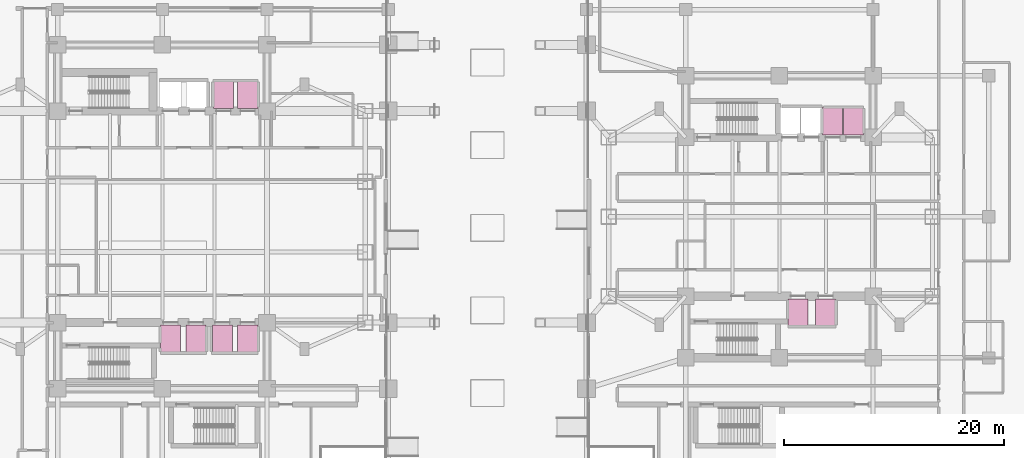
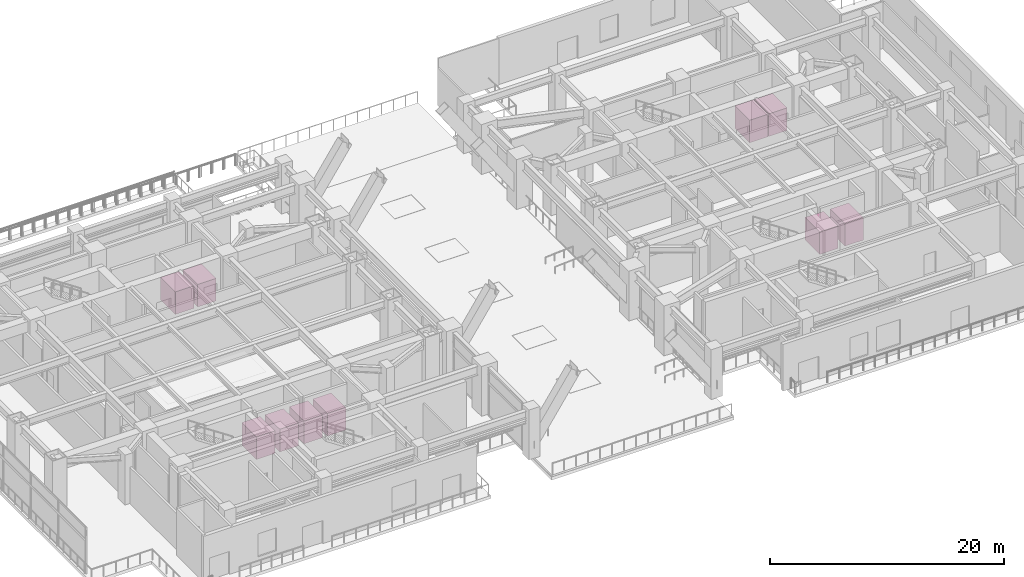
# One storey, part 27 of 27: 10 transport elements.
"""IFC4 building model written with IfcOpenShell, lengths in metres."""

from ifc_helpers import new_model, si_unit, direction, frame, origin, origin_2d, place, context, subcontext, project, spatial, rectangle, extrude, material, type_object, element, save


model = new_model("IFC4")

# Units and contexts
model_context = context("Model", 3, precision=1e-05, world=origin(), true_north=direction((0.0, 1.0)))
body_context = subcontext(model_context, "Body", "Model", "MODEL_VIEW")
ifc_project = project(units=[si_unit("LENGTHUNIT", "METRE"), si_unit("AREAUNIT", "SQUARE_METRE"), si_unit("VOLUMEUNIT", "CUBIC_METRE"), si_unit("PLANEANGLEUNIT", "RADIAN"), si_unit("MASSUNIT", "GRAM", prefix="KILO")], contexts=[model_context])

# Site, building, storey
site_placement = place(None, origin())
site = spatial("IfcSite", under=ifc_project, at=site_placement, CompositionType="ELEMENT")
building_placement = place(site_placement, origin())
building = spatial("IfcBuilding", under=site, at=building_placement, Name="Mirazonda Arch Towers", CompositionType="ELEMENT")
storey_placement = place(building_placement, origin())
storey = spatial("IfcBuildingStorey", under=building, at=storey_placement, Name="L00", CompositionType="ELEMENT", Elevation=0.0)

# Transport elements
ifc_material = material(Name="Architectural Brushed Steel S355", Category="steel")
transport_element_type_1 = type_object("IfcTransportElementType", Name="LIFT-PL-T1H1", PredefinedType="ELEVATOR", material=ifc_material)
transport_element_1_placement = place(storey_placement, frame((25.949951171875, 16.89990234375, 0.0), z_axis=(0.0, 0.0, 1.0), x_axis=(1.0, 0.0, 0.0)))
element("IfcTransportElement", 1, at=transport_element_1_placement, inside=storey, type_object=transport_element_type_1, Name="Passenger Lift PL-T1H1 Car", PredefinedType="ELEVATOR", context=body_context, shape_type="SweptSolid", body=[
    extrude(rectangle(XDim=1.820068359375, YDim=2.52001953125, at=origin_2d()), origin(), (0.0, 0.0, 1.0), 2.35009765625),
])
transport_element_type_2 = type_object("IfcTransportElementType", Name="LIFT-PL-T1H2", PredefinedType="ELEVATOR", material=ifc_material)
transport_element_2_placement = place(storey_placement, frame((28.25, 16.89990234375, 0.0), z_axis=(0.0, 0.0, 1.0), x_axis=(1.0, 0.0, 0.0)))
element("IfcTransportElement", 2, at=transport_element_2_placement, inside=storey, type_object=transport_element_type_2, Name="Passenger Lift PL-T1H2 Car", PredefinedType="ELEVATOR", context=body_context, shape_type="SweptSolid", body=[
    extrude(rectangle(XDim=1.820068359375, YDim=2.52001953125, at=origin_2d()), origin(), (0.0, 0.0, 1.0), 2.35009765625),
])
transport_element_type_3 = type_object("IfcTransportElementType", Name="LIFT-PL-T1L1", PredefinedType="ELEVATOR", material=ifc_material)
transport_element_3_placement = place(storey_placement, frame((26.050048828125, 39.10009765625, 0.0), z_axis=(0.0, 0.0, 1.0), x_axis=(1.0, 0.0, 0.0)))
element("IfcTransportElement", 3, at=transport_element_3_placement, inside=storey, type_object=transport_element_type_3, Name="Passenger Lift PL-T1L1 Car", PredefinedType="ELEVATOR", context=body_context, shape_type="SweptSolid", body=[
    extrude(rectangle(XDim=1.820068359375, YDim=2.52001953125, at=origin_2d()), origin(), (0.0, 0.0, 1.0), 2.35009765625),
])
transport_element_type_4 = type_object("IfcTransportElementType", Name="LIFT-PL-T1L2", PredefinedType="ELEVATOR", material=ifc_material)
transport_element_4_placement = place(storey_placement, frame((28.25, 39.10009765625, 0.0), z_axis=(0.0, 0.0, 1.0), x_axis=(1.0, 0.0, 0.0)))
element("IfcTransportElement", 4, at=transport_element_4_placement, inside=storey, type_object=transport_element_type_4, Name="Passenger Lift PL-T1L2 Car", PredefinedType="ELEVATOR", context=body_context, shape_type="SweptSolid", body=[
    extrude(rectangle(XDim=1.820068359375, YDim=2.52001953125, at=origin_2d()), origin(), (0.0, 0.0, 1.0), 2.35009765625),
])
transport_element_type_5 = type_object("IfcTransportElementType", Name="LIFT-PL-T1M1", PredefinedType="ELEVATOR", material=ifc_material)
transport_element_5_placement = place(storey_placement, frame((21.25, 16.89990234375, 0.0), z_axis=(0.0, 0.0, 1.0), x_axis=(1.0, 0.0, 0.0)))
element("IfcTransportElement", 5, at=transport_element_5_placement, inside=storey, type_object=transport_element_type_5, Name="Passenger Lift PL-T1M1 Car", PredefinedType="ELEVATOR", context=body_context, shape_type="SweptSolid", body=[
    extrude(rectangle(XDim=1.820068359375, YDim=2.52001953125, at=origin_2d()), origin(), (0.0, 0.0, 1.0), 2.35009765625),
])
transport_element_type_6 = type_object("IfcTransportElementType", Name="LIFT-PL-T1M2", PredefinedType="ELEVATOR", material=ifc_material)
transport_element_6_placement = place(storey_placement, frame((23.550048828125, 16.89990234375, 0.0), z_axis=(0.0, 0.0, 1.0), x_axis=(1.0, 0.0, 0.0)))
element("IfcTransportElement", 6, at=transport_element_6_placement, inside=storey, type_object=transport_element_type_6, Name="Passenger Lift PL-T1M2 Car", PredefinedType="ELEVATOR", context=body_context, shape_type="SweptSolid", body=[
    extrude(rectangle(XDim=1.820068359375, YDim=2.52001953125, at=origin_2d()), origin(), (0.0, 0.0, 1.0), 2.35009765625),
])
transport_element_type_7 = type_object("IfcTransportElementType", Name="LIFT-PL-T2H1", PredefinedType="ELEVATOR", material=ifc_material)
transport_element_7_placement = place(storey_placement, frame((78.199951171875, 19.300048828125, 0.0), z_axis=(0.0, 0.0, 1.0), x_axis=(1.0, 0.0, 0.0)))
element("IfcTransportElement", 7, at=transport_element_7_placement, inside=storey, type_object=transport_element_type_7, Name="Passenger Lift PL-T2H1 Car", PredefinedType="ELEVATOR", context=body_context, shape_type="SweptSolid", body=[
    extrude(rectangle(XDim=1.820068359375, YDim=2.52001953125, at=origin_2d()), origin(), (0.0, 0.0, 1.0), 2.35009765625),
])
transport_element_type_8 = type_object("IfcTransportElementType", Name="LIFT-PL-T2H2", PredefinedType="ELEVATOR", material=ifc_material)
transport_element_8_placement = place(storey_placement, frame((80.699951171875, 19.300048828125, 0.0), z_axis=(0.0, 0.0, 1.0), x_axis=(1.0, 0.0, 0.0)))
element("IfcTransportElement", 8, at=transport_element_8_placement, inside=storey, type_object=transport_element_type_8, Name="Passenger Lift PL-T2H2 Car", PredefinedType="ELEVATOR", context=body_context, shape_type="SweptSolid", body=[
    extrude(rectangle(XDim=1.820068359375, YDim=2.52001953125, at=origin_2d()), origin(), (0.0, 0.0, 1.0), 2.35009765625),
])
transport_element_type_9 = type_object("IfcTransportElementType", Name="LIFT-PL-T2L1", PredefinedType="ELEVATOR", material=ifc_material)
transport_element_9_placement = place(storey_placement, frame((81.340087890625, 36.699951171875, 0.0), z_axis=(0.0, 0.0, 1.0), x_axis=(1.0, 0.0, 0.0)))
element("IfcTransportElement", 9, at=transport_element_9_placement, inside=storey, type_object=transport_element_type_9, Name="Passenger Lift PL-T2L1 Car", PredefinedType="ELEVATOR", context=body_context, shape_type="SweptSolid", body=[
    extrude(rectangle(XDim=1.820068359375, YDim=2.52001953125, at=origin_2d()), origin(), (0.0, 0.0, 1.0), 2.35009765625),
])
transport_element_type_10 = type_object("IfcTransportElementType", Name="LIFT-PL-T2L2", PredefinedType="ELEVATOR", material=ifc_material)
transport_element_10_placement = place(storey_placement, frame((83.219970703125, 36.699951171875, 0.0), z_axis=(0.0, 0.0, 1.0), x_axis=(1.0, 0.0, 0.0)))
element("IfcTransportElement", 10, at=transport_element_10_placement, inside=storey, type_object=transport_element_type_10, Name="Passenger Lift PL-T2L2 Car", PredefinedType="ELEVATOR", context=body_context, shape_type="SweptSolid", body=[
    extrude(rectangle(XDim=1.820068359375, YDim=2.52001953125, at=origin_2d()), origin(), (0.0, 0.0, 1.0), 2.35009765625),
])

save(model, "model.ifc")
